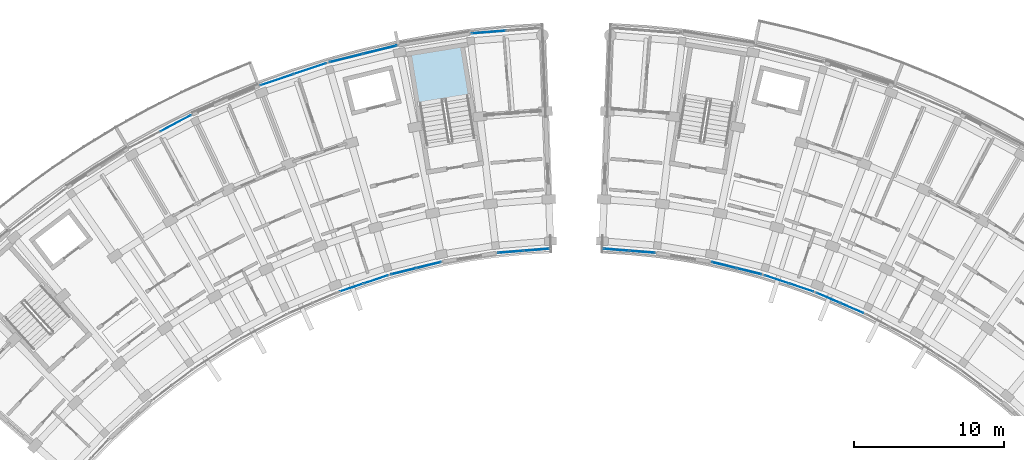
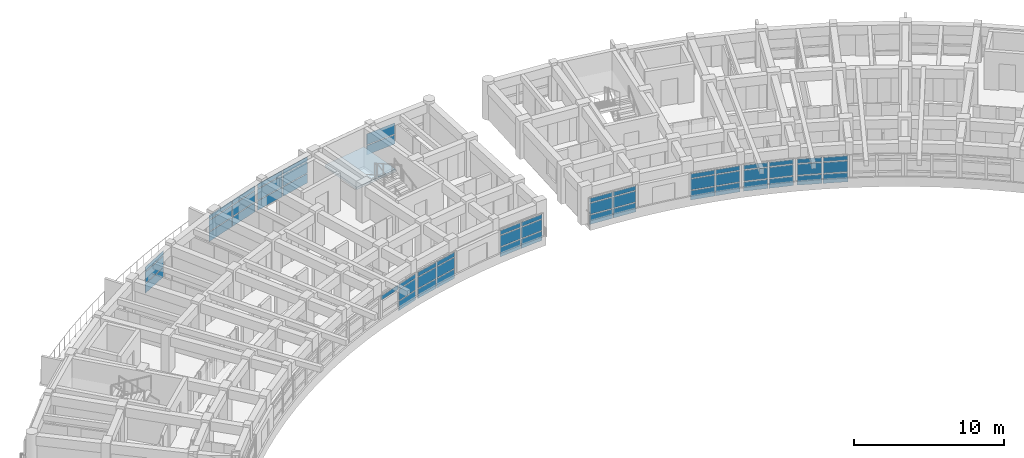
# One storey, part 34 of 70: 57 plates, 1 slab, 12 elements without a shape of their own.
"""IFC4 building model written with IfcOpenShell, lengths in metres."""

from ifc_helpers import new_model, si_unit, direction, frame, origin, origin_2d, place, context, subcontext, project, spatial, polyline, rectangle, outline, extrude, material, layer, layer_set, type_object, element, aggregate, save


model = new_model("IFC4")

# Units and contexts
model_context = context("Model", 3, precision=1e-05, world=origin(), true_north=direction((0.0, 1.0)))
body_context = subcontext(model_context, "Body", "Model", "MODEL_VIEW")
ifc_project = project(units=[si_unit("LENGTHUNIT", "METRE"), si_unit("AREAUNIT", "SQUARE_METRE"), si_unit("VOLUMEUNIT", "CUBIC_METRE"), si_unit("PLANEANGLEUNIT", "RADIAN"), si_unit("MASSUNIT", "GRAM", prefix="KILO")], contexts=[model_context])

# Site, building, storey
site_placement = place(None, origin())
site = spatial("IfcSite", under=ifc_project, at=site_placement, CompositionType="ELEMENT")
building_placement = place(site_placement, origin())
building = spatial("IfcBuilding", under=site, at=building_placement, Name="Zimvara Arc Housing Community", CompositionType="ELEMENT")
storey_placement = place(building_placement, frame((0.0, 0.0, 8.10009765625)))
storey = spatial("IfcBuildingStorey", under=building, at=storey_placement, Name="L02", CompositionType="ELEMENT", Elevation=8.10009765625)

# Curtain wall, plates
ifc_material_1 = material(Name="Anodised Aluminium AW-6063", Category="aluminium")
curtain_wall_type_1 = type_object("IfcCurtainWallType", Name="CW-SYS-04", PredefinedType="USERDEFINED", material=ifc_material_1)
curtain_wall_1_placement = place(storey_placement, origin())
curtain_wall_1 = element("IfcCurtainWall", 1, at=curtain_wall_1_placement, inside=storey, type_object=curtain_wall_type_1, Name="cw:blkA:L02:in:b7", ObjectType="CURTAIN WALL", PredefinedType="USERDEFINED")
ifc_material_2 = material(Name="Pale-Gold Anodised Aluminium Spandrel Panel", Category="aluminium")
ifc_layer_1 = layer(ifc_material_2, 0.035888671875)
ifc_layer_set_1 = layer_set([ifc_layer_1], Name="Pale-Gold Anodised Aluminium Spandrel Panel")
plate_type_1 = type_object("IfcPlateType", Name="CWP-GLD-36", PredefinedType="CURTAIN_PANEL", material=ifc_layer_set_1)
plate_1_placement = place(storey_placement, frame((33.45068359375, 87.569580078125, 0.06494140625), z_axis=(0.0, 0.0, 1.0), x_axis=(0.970716537698, 0.240227815706, 0.0)))
plate_1 = element("IfcPlate", 2, at=plate_1_placement, type_object=plate_type_1, Name="CW04 panel 1.1", PredefinedType="CURTAIN_PANEL", context=body_context, shape_type="SweptSolid", body=[
    extrude(rectangle(XDim=1.664306640625, YDim=0.035888671875, at=origin_2d()), origin(), (0.0, 0.0, 1.0), 0.75244140625),
])
plate_2_placement = place(storey_placement, frame((33.45068359375, 87.569580078125, 0.88232421875), z_axis=(0.0, 0.0, 1.0), x_axis=(0.970716537698, 0.240227815706, 0.0)))
plate_2 = element("IfcPlate", 3, at=plate_2_placement, type_object=plate_type_1, Name="CW04 panel 1.2", PredefinedType="CURTAIN_PANEL", context=body_context, shape_type="SweptSolid", body=[
    extrude(rectangle(XDim=1.664306640625, YDim=0.035888671875, at=origin_2d()), origin(), (0.0, 0.0, 1.0), 0.885009765625),
])
plate_3_placement = place(storey_placement, frame((33.45068359375, 87.569580078125, 1.832275390625), z_axis=(0.0, 0.0, 1.0), x_axis=(0.970716537698, 0.240227815706, 0.0)))
plate_3 = element("IfcPlate", 4, at=plate_3_placement, type_object=plate_type_1, Name="CW04 panel 1.3", PredefinedType="CURTAIN_PANEL", context=body_context, shape_type="SweptSolid", body=[
    extrude(rectangle(XDim=1.664306640625, YDim=0.035888671875, at=origin_2d()), origin(), (0.0, 0.0, 1.0), 0.3525390625),
])
plate_4_placement = place(storey_placement, frame((35.12939453125, 87.98486328125, 0.06494140625), z_axis=(0.0, 0.0, 1.0), x_axis=(0.970716537698, 0.240227815706, 0.0)))
plate_4 = element("IfcPlate", 5, at=plate_4_placement, type_object=plate_type_1, Name="CW04 panel 2.1", PredefinedType="CURTAIN_PANEL", context=body_context, shape_type="SweptSolid", body=[
    extrude(rectangle(XDim=1.664306640625, YDim=0.035888671875, at=origin_2d()), origin(), (0.0, 0.0, 1.0), 0.75244140625),
])
plate_5_placement = place(storey_placement, frame((35.12939453125, 87.98486328125, 0.88232421875), z_axis=(0.0, 0.0, 1.0), x_axis=(0.970716537698, 0.240227815706, 0.0)))
plate_5 = element("IfcPlate", 6, at=plate_5_placement, type_object=plate_type_1, Name="CW04 panel 2.2", PredefinedType="CURTAIN_PANEL", context=body_context, shape_type="SweptSolid", body=[
    extrude(rectangle(XDim=1.664306640625, YDim=0.035888671875, at=origin_2d()), origin(), (0.0, 0.0, 1.0), 0.885009765625),
])
plate_6_placement = place(storey_placement, frame((35.12939453125, 87.98486328125, 1.832275390625), z_axis=(0.0, 0.0, 1.0), x_axis=(0.970716537698, 0.240227815706, 0.0)))
plate_6 = element("IfcPlate", 7, at=plate_6_placement, type_object=plate_type_1, Name="CW04 panel 2.3", PredefinedType="CURTAIN_PANEL", context=body_context, shape_type="SweptSolid", body=[
    extrude(rectangle(XDim=1.664306640625, YDim=0.035888671875, at=origin_2d()), origin(), (0.0, 0.0, 1.0), 0.3525390625),
])
aggregate(curtain_wall_1, [plate_1, plate_2, plate_3, plate_4, plate_5, plate_6])

curtain_wall_2_placement = place(storey_placement, origin())
curtain_wall_2 = element("IfcCurtainWall", 8, at=curtain_wall_2_placement, inside=storey, type_object=curtain_wall_type_1, Name="cw:blkB:L02:in:b2", ObjectType="CURTAIN WALL", PredefinedType="USERDEFINED")
plate_7_placement = place(storey_placement, frame((54.87060546875, 87.98486328125, 0.06494140625), z_axis=(0.0, 0.0, 1.0), x_axis=(0.970716537698, -0.240227815706, 0.0)))
plate_7 = element("IfcPlate", 9, at=plate_7_placement, type_object=plate_type_1, Name="CW04 panel 1.1", PredefinedType="CURTAIN_PANEL", context=body_context, shape_type="SweptSolid", body=[
    extrude(rectangle(XDim=1.664306640625, YDim=0.035888671875, at=origin_2d()), origin(), (0.0, 0.0, 1.0), 0.75244140625),
])
plate_8_placement = place(storey_placement, frame((54.87060546875, 87.98486328125, 0.88232421875), z_axis=(0.0, 0.0, 1.0), x_axis=(0.970716537698, -0.240227815706, 0.0)))
plate_8 = element("IfcPlate", 10, at=plate_8_placement, type_object=plate_type_1, Name="CW04 panel 1.2", PredefinedType="CURTAIN_PANEL", context=body_context, shape_type="SweptSolid", body=[
    extrude(rectangle(XDim=1.664306640625, YDim=0.035888671875, at=origin_2d()), origin(), (0.0, 0.0, 1.0), 0.885009765625),
])
plate_9_placement = place(storey_placement, frame((54.87060546875, 87.98486328125, 1.832275390625), z_axis=(0.0, 0.0, 1.0), x_axis=(0.970716537698, -0.240227815706, 0.0)))
plate_9 = element("IfcPlate", 11, at=plate_9_placement, type_object=plate_type_1, Name="CW04 panel 1.3", PredefinedType="CURTAIN_PANEL", context=body_context, shape_type="SweptSolid", body=[
    extrude(rectangle(XDim=1.664306640625, YDim=0.035888671875, at=origin_2d()), origin(), (0.0, 0.0, 1.0), 0.3525390625),
])
plate_10_placement = place(storey_placement, frame((56.54931640625, 87.569580078125, 0.06494140625), z_axis=(0.0, 0.0, 1.0), x_axis=(0.970716537698, -0.240227815706, 0.0)))
plate_10 = element("IfcPlate", 12, at=plate_10_placement, type_object=plate_type_1, Name="CW04 panel 2.1", PredefinedType="CURTAIN_PANEL", context=body_context, shape_type="SweptSolid", body=[
    extrude(rectangle(XDim=1.664306640625, YDim=0.035888671875, at=origin_2d()), origin(), (0.0, 0.0, 1.0), 0.75244140625),
])
plate_11_placement = place(storey_placement, frame((56.54931640625, 87.569580078125, 0.88232421875), z_axis=(0.0, 0.0, 1.0), x_axis=(0.970716537698, -0.240227815706, 0.0)))
plate_11 = element("IfcPlate", 13, at=plate_11_placement, type_object=plate_type_1, Name="CW04 panel 2.2", PredefinedType="CURTAIN_PANEL", context=body_context, shape_type="SweptSolid", body=[
    extrude(rectangle(XDim=1.664306640625, YDim=0.035888671875, at=origin_2d()), origin(), (0.0, 0.0, 1.0), 0.885009765625),
])
plate_12_placement = place(storey_placement, frame((56.54931640625, 87.569580078125, 1.832275390625), z_axis=(0.0, 0.0, 1.0), x_axis=(0.970716537698, -0.240227815706, 0.0)))
plate_12 = element("IfcPlate", 14, at=plate_12_placement, type_object=plate_type_1, Name="CW04 panel 2.3", PredefinedType="CURTAIN_PANEL", context=body_context, shape_type="SweptSolid", body=[
    extrude(rectangle(XDim=1.664306640625, YDim=0.035888671875, at=origin_2d()), origin(), (0.0, 0.0, 1.0), 0.3525390625),
])
aggregate(curtain_wall_2, [plate_7, plate_8, plate_9, plate_10, plate_11, plate_12])

ifc_material_3 = material(Name="Anodised Aluminium AW-6063", Category="aluminium")
curtain_wall_type_2 = type_object("IfcCurtainWallType", Name="CW-SYS-01", PredefinedType="USERDEFINED", material=ifc_material_3)
curtain_wall_3_placement = place(storey_placement, origin())
curtain_wall_3 = element("IfcCurtainWall", 15, at=curtain_wall_3_placement, inside=storey, type_object=curtain_wall_type_2, Name="cw:blkA:L02:out:b6", ObjectType="CURTAIN WALL", PredefinedType="USERDEFINED")
ifc_material_4 = material(Name="Solar Control Low-E Double Glazing", Category="glass")
ifc_layer_2 = layer(ifc_material_4, 0.02392578125)
ifc_layer_set_2 = layer_set([ifc_layer_2], Name="Solar Control Low-E Double Glazing")
plate_type_2 = type_object("IfcPlateType", Name="CWP-GLZ-24", PredefinedType="CURTAIN_PANEL", material=ifc_layer_set_2)
plate_13_placement = place(storey_placement, frame((24.990478515625, 100.36669921875, 0.06494140625), z_axis=(0.0, 0.0, 1.0), x_axis=(0.947879647164, 0.318628583921, 0.0)))
plate_13 = element("IfcPlate", 16, at=plate_13_placement, type_object=plate_type_2, Name="CW01 panel 1.1", PredefinedType="CURTAIN_PANEL", context=body_context, shape_type="SweptSolid", body=[
    extrude(rectangle(XDim=2.266845703125, YDim=0.02392578125, at=origin_2d()), origin(), (0.0, 0.0, 1.0), 0.75244140625),
])
plate_14_placement = place(storey_placement, frame((24.990478515625, 100.36669921875, 0.88232421875), z_axis=(0.0, 0.0, 1.0), x_axis=(0.947879647164, 0.318628583921, 0.0)))
plate_14 = element("IfcPlate", 17, at=plate_14_placement, type_object=plate_type_2, Name="CW01 panel 1.2", PredefinedType="CURTAIN_PANEL", context=body_context, shape_type="SweptSolid", body=[
    extrude(rectangle(XDim=2.266845703125, YDim=0.02392578125, at=origin_2d()), origin(), (0.0, 0.0, 1.0), 0.885009765625),
])
plate_15_placement = place(storey_placement, frame((24.990478515625, 100.36669921875, 1.832275390625), z_axis=(0.0, 0.0, 1.0), x_axis=(0.947879647164, 0.318628583921, 0.0)))
plate_15 = element("IfcPlate", 18, at=plate_15_placement, type_object=plate_type_2, Name="CW01 panel 1.3", PredefinedType="CURTAIN_PANEL", context=body_context, shape_type="SweptSolid", body=[
    extrude(rectangle(XDim=2.266845703125, YDim=0.02392578125, at=origin_2d()), origin(), (0.0, 0.0, 1.0), 0.3525390625),
])
plate_16_placement = place(storey_placement, frame((27.200927734375, 101.109619140625, 0.06494140625), z_axis=(0.0, 0.0, 1.0), x_axis=(0.947879647164, 0.318628583921, 0.0)))
plate_16 = element("IfcPlate", 19, at=plate_16_placement, type_object=plate_type_2, Name="CW01 panel 2.1", PredefinedType="CURTAIN_PANEL", context=body_context, shape_type="SweptSolid", body=[
    extrude(rectangle(XDim=2.266845703125, YDim=0.02392578125, at=origin_2d()), origin(), (0.0, 0.0, 1.0), 0.75244140625),
])
plate_17_placement = place(storey_placement, frame((27.200927734375, 101.109619140625, 0.88232421875), z_axis=(0.0, 0.0, 1.0), x_axis=(0.947879647164, 0.318628583921, 0.0)))
plate_17 = element("IfcPlate", 20, at=plate_17_placement, type_object=plate_type_2, Name="CW01 panel 2.2", PredefinedType="CURTAIN_PANEL", context=body_context, shape_type="SweptSolid", body=[
    extrude(rectangle(XDim=2.266845703125, YDim=0.02392578125, at=origin_2d()), origin(), (0.0, 0.0, 1.0), 0.885009765625),
])
plate_18_placement = place(storey_placement, frame((27.200927734375, 101.109619140625, 1.832275390625), z_axis=(0.0, 0.0, 1.0), x_axis=(0.947879647164, 0.318628583921, 0.0)))
plate_18 = element("IfcPlate", 21, at=plate_18_placement, type_object=plate_type_2, Name="CW01 panel 2.3", PredefinedType="CURTAIN_PANEL", context=body_context, shape_type="SweptSolid", body=[
    extrude(rectangle(XDim=2.266845703125, YDim=0.02392578125, at=origin_2d()), origin(), (0.0, 0.0, 1.0), 0.3525390625),
])
aggregate(curtain_wall_3, [plate_13, plate_14, plate_15, plate_16, plate_17, plate_18])

ifc_material_5 = material(Name="Anodised Aluminium AW-6063", Category="aluminium")
curtain_wall_type_3 = type_object("IfcCurtainWallType", Name="CW-SYS-05", PredefinedType="USERDEFINED", material=ifc_material_5)
curtain_wall_4_placement = place(storey_placement, origin())
curtain_wall_4 = element("IfcCurtainWall", 22, at=curtain_wall_4_placement, inside=storey, type_object=curtain_wall_type_3, Name="cw:blkA:L02:out:b9", ObjectType="CURTAIN WALL", PredefinedType="USERDEFINED")
plate_19_placement = place(storey_placement, frame((39.141357421875, 103.552001953125, 0.06494140625), z_axis=(0.0, 0.0, 1.0), x_axis=(0.996862418963, 0.079153759607, 0.0)))
plate_19 = element("IfcPlate", 23, at=plate_19_placement, type_object=plate_type_2, Name="CW05 panel 1.1", PredefinedType="CURTAIN_PANEL", context=body_context, shape_type="SweptSolid", body=[
    extrude(rectangle(XDim=2.266845703125, YDim=0.02392578125, at=origin_2d()), origin(), (0.0, 0.0, 1.0), 0.75244140625),
])
plate_20_placement = place(storey_placement, frame((39.141357421875, 103.552001953125, 0.88232421875), z_axis=(0.0, 0.0, 1.0), x_axis=(0.996862418963, 0.079153759607, 0.0)))
plate_20 = element("IfcPlate", 24, at=plate_20_placement, type_object=plate_type_2, Name="CW05 panel 1.2", PredefinedType="CURTAIN_PANEL", context=body_context, shape_type="SweptSolid", body=[
    extrude(rectangle(XDim=2.266845703125, YDim=0.02392578125, at=origin_2d()), origin(), (0.0, 0.0, 1.0), 0.885009765625),
])
aggregate(curtain_wall_4, [plate_19, plate_20])

curtain_wall_5_placement = place(storey_placement, origin())
curtain_wall_5 = element("IfcCurtainWall", 25, at=curtain_wall_5_placement, inside=storey, type_object=curtain_wall_type_3, Name="cw:blkB:L02:in:b3", ObjectType="CURTAIN WALL", PredefinedType="USERDEFINED")
plate_21_placement = place(storey_placement, frame((58.3857421875, 87.03466796875, 0.06494140625), z_axis=(0.0, 0.0, 1.0), x_axis=(0.94787908732, -0.318630249383, 0.0)))
plate_21 = element("IfcPlate", 26, at=plate_21_placement, type_object=plate_type_2, Name="CW05 panel 1.1", PredefinedType="CURTAIN_PANEL", context=body_context, shape_type="SweptSolid", body=[
    extrude(rectangle(XDim=1.664306640625, YDim=0.02392578125, at=origin_2d()), origin(), (0.0, 0.0, 1.0), 0.75244140625),
])
plate_22_placement = place(storey_placement, frame((58.3857421875, 87.03466796875, 0.88232421875), z_axis=(0.0, 0.0, 1.0), x_axis=(0.94787908732, -0.318630249383, 0.0)))
plate_22 = element("IfcPlate", 27, at=plate_22_placement, type_object=plate_type_2, Name="CW05 panel 1.2", PredefinedType="CURTAIN_PANEL", context=body_context, shape_type="SweptSolid", body=[
    extrude(rectangle(XDim=1.664306640625, YDim=0.02392578125, at=origin_2d()), origin(), (0.0, 0.0, 1.0), 0.885009765625),
])
plate_23_placement = place(storey_placement, frame((58.3857421875, 87.03466796875, 1.832275390625), z_axis=(0.0, 0.0, 1.0), x_axis=(0.94787908732, -0.318630249383, 0.0)))
plate_23 = element("IfcPlate", 28, at=plate_23_placement, type_object=plate_type_2, Name="CW05 panel 1.3", PredefinedType="CURTAIN_PANEL", context=body_context, shape_type="SweptSolid", body=[
    extrude(rectangle(XDim=1.664306640625, YDim=0.02392578125, at=origin_2d()), origin(), (0.0, 0.0, 1.0), 0.3525390625),
])
plate_24_placement = place(storey_placement, frame((60.02490234375, 86.483642578125, 0.06494140625), z_axis=(0.0, 0.0, 1.0), x_axis=(0.94787908732, -0.318630249383, 0.0)))
plate_24 = element("IfcPlate", 29, at=plate_24_placement, type_object=plate_type_2, Name="CW05 panel 2.1", PredefinedType="CURTAIN_PANEL", context=body_context, shape_type="SweptSolid", body=[
    extrude(rectangle(XDim=1.664306640625, YDim=0.02392578125, at=origin_2d()), origin(), (0.0, 0.0, 1.0), 0.75244140625),
])
plate_25_placement = place(storey_placement, frame((60.02490234375, 86.483642578125, 0.88232421875), z_axis=(0.0, 0.0, 1.0), x_axis=(0.94787908732, -0.318630249383, 0.0)))
plate_25 = element("IfcPlate", 30, at=plate_25_placement, type_object=plate_type_2, Name="CW05 panel 2.2", PredefinedType="CURTAIN_PANEL", context=body_context, shape_type="SweptSolid", body=[
    extrude(rectangle(XDim=1.664306640625, YDim=0.02392578125, at=origin_2d()), origin(), (0.0, 0.0, 1.0), 0.885009765625),
])
plate_26_placement = place(storey_placement, frame((60.02490234375, 86.483642578125, 1.832275390625), z_axis=(0.0, 0.0, 1.0), x_axis=(0.94787908732, -0.318630249383, 0.0)))
plate_26 = element("IfcPlate", 31, at=plate_26_placement, type_object=plate_type_2, Name="CW05 panel 2.3", PredefinedType="CURTAIN_PANEL", context=body_context, shape_type="SweptSolid", body=[
    extrude(rectangle(XDim=1.664306640625, YDim=0.02392578125, at=origin_2d()), origin(), (0.0, 0.0, 1.0), 0.3525390625),
])
aggregate(curtain_wall_5, [plate_21, plate_22, plate_23, plate_24, plate_25, plate_26])

ifc_material_6 = material(Name="Anodised Aluminium AW-6063", Category="aluminium")
curtain_wall_type_4 = type_object("IfcCurtainWallType", Name="CW-SYS-06", PredefinedType="USERDEFINED", material=ifc_material_6)
curtain_wall_6_placement = place(storey_placement, origin())
curtain_wall_6 = element("IfcCurtainWall", 32, at=curtain_wall_6_placement, inside=storey, type_object=curtain_wall_type_4, Name="cw:blkA:L02:out:b4", ObjectType="CURTAIN WALL", PredefinedType="USERDEFINED")
ifc_material_7 = material(Name="Solar Control Low-E Double Glazing", Category="glass")
ifc_layer_3 = layer(ifc_material_7, 0.028076171875)
ifc_layer_set_3 = layer_set([ifc_layer_3], Name="Solar Control Low-E Double Glazing")
plate_type_3 = type_object("IfcPlateType", Name="CWP-GLZ-28", PredefinedType="CURTAIN_PANEL", material=ifc_layer_set_3)
plate_27_placement = place(storey_placement, frame((18.23095703125, 97.461181640625, 0.06494140625), z_axis=(0.0, 0.0, 1.0), x_axis=(0.883438614651, 0.468546917761, 0.0)))
plate_27 = element("IfcPlate", 33, at=plate_27_placement, type_object=plate_type_3, Name="CW06 panel 2.1", PredefinedType="CURTAIN_PANEL", context=body_context, shape_type="SweptSolid", body=[
    extrude(rectangle(XDim=2.266845703125, YDim=0.028076171875, at=origin_2d()), origin(), (0.0, 0.0, 1.0), 0.75244140625),
])
plate_28_placement = place(storey_placement, frame((18.23095703125, 97.461181640625, 0.88232421875), z_axis=(0.0, 0.0, 1.0), x_axis=(0.883438614651, 0.468546917761, 0.0)))
plate_28 = element("IfcPlate", 34, at=plate_28_placement, type_object=plate_type_3, Name="CW06 panel 2.2", PredefinedType="CURTAIN_PANEL", context=body_context, shape_type="SweptSolid", body=[
    extrude(rectangle(XDim=2.266845703125, YDim=0.028076171875, at=origin_2d()), origin(), (0.0, 0.0, 1.0), 0.885009765625),
])
plate_29_placement = place(storey_placement, frame((18.23095703125, 97.461181640625, 1.832275390625), z_axis=(0.0, 0.0, 1.0), x_axis=(0.883438614651, 0.468546917761, 0.0)))
plate_29 = element("IfcPlate", 35, at=plate_29_placement, type_object=plate_type_3, Name="CW06 panel 2.3", PredefinedType="CURTAIN_PANEL", context=body_context, shape_type="SweptSolid", body=[
    extrude(rectangle(XDim=2.266845703125, YDim=0.028076171875, at=origin_2d()), origin(), (0.0, 0.0, 1.0), 0.3525390625),
])
aggregate(curtain_wall_6, [plate_27, plate_28, plate_29])

ifc_material_8 = material(Name="Anodised Aluminium AW-6063", Category="aluminium")
curtain_wall_type_5 = type_object("IfcCurtainWallType", Name="CW-SYS-02", PredefinedType="USERDEFINED", material=ifc_material_8)
curtain_wall_7_placement = place(storey_placement, origin())
curtain_wall_7 = element("IfcCurtainWall", 36, at=curtain_wall_7_placement, inside=storey, type_object=curtain_wall_type_5, Name="cw:blkA:L02:in:b6", ObjectType="CURTAIN WALL", PredefinedType="USERDEFINED")
plate_30_placement = place(storey_placement, frame((29.97509765625, 86.483642578125, 1.832275390625), z_axis=(0.0, 0.0, 1.0), x_axis=(0.94787908732, 0.318630249383, 0.0)))
plate_30 = element("IfcPlate", 37, at=plate_30_placement, type_object=plate_type_3, Name="CW02 panel 1.3", PredefinedType="CURTAIN_PANEL", context=body_context, shape_type="SweptSolid", body=[
    extrude(rectangle(XDim=1.664306640625, YDim=0.028076171875, at=origin_2d()), origin(), (0.0, 0.0, 1.0), 0.3525390625),
])
plate_31_placement = place(storey_placement, frame((31.6142578125, 87.03466796875, 0.06494140625), z_axis=(0.0, 0.0, 1.0), x_axis=(0.94787908732, 0.318630249383, 0.0)))
plate_31 = element("IfcPlate", 38, at=plate_31_placement, type_object=plate_type_3, Name="CW02 panel 2.1", PredefinedType="CURTAIN_PANEL", context=body_context, shape_type="SweptSolid", body=[
    extrude(rectangle(XDim=1.664306640625, YDim=0.028076171875, at=origin_2d()), origin(), (0.0, 0.0, 1.0), 0.75244140625),
])
plate_32_placement = place(storey_placement, frame((31.6142578125, 87.03466796875, 0.88232421875), z_axis=(0.0, 0.0, 1.0), x_axis=(0.94787908732, 0.318630249383, 0.0)))
plate_32 = element("IfcPlate", 39, at=plate_32_placement, type_object=plate_type_3, Name="CW02 panel 2.2", PredefinedType="CURTAIN_PANEL", context=body_context, shape_type="SweptSolid", body=[
    extrude(rectangle(XDim=1.664306640625, YDim=0.028076171875, at=origin_2d()), origin(), (0.0, 0.0, 1.0), 0.885009765625),
])
plate_33_placement = place(storey_placement, frame((31.6142578125, 87.03466796875, 1.832275390625), z_axis=(0.0, 0.0, 1.0), x_axis=(0.94787908732, 0.318630249383, 0.0)))
plate_33 = element("IfcPlate", 40, at=plate_33_placement, type_object=plate_type_3, Name="CW02 panel 2.3", PredefinedType="CURTAIN_PANEL", context=body_context, shape_type="SweptSolid", body=[
    extrude(rectangle(XDim=1.664306640625, YDim=0.028076171875, at=origin_2d()), origin(), (0.0, 0.0, 1.0), 0.3525390625),
])
aggregate(curtain_wall_7, [plate_30, plate_31, plate_32, plate_33])

curtain_wall_8_placement = place(storey_placement, origin())
curtain_wall_8 = element("IfcCurtainWall", 41, at=curtain_wall_8_placement, inside=storey, type_object=curtain_wall_type_4, Name="cw:blkA:L02:in:b9", ObjectType="CURTAIN WALL", PredefinedType="USERDEFINED")
plate_34_placement = place(storey_placement, frame((40.609130859375, 88.87451171875, 0.06494140625), z_axis=(0.0, 0.0, 1.0), x_axis=(0.996862343506, 0.079154709897, 0.0)))
plate_34 = element("IfcPlate", 42, at=plate_34_placement, type_object=plate_type_3, Name="CW06 panel 1.1", PredefinedType="CURTAIN_PANEL", context=body_context, shape_type="SweptSolid", body=[
    extrude(rectangle(XDim=1.664306640625, YDim=0.028076171875, at=origin_2d()), origin(), (0.0, 0.0, 1.0), 0.75244140625),
])
plate_35_placement = place(storey_placement, frame((40.609130859375, 88.87451171875, 0.88232421875), z_axis=(0.0, 0.0, 1.0), x_axis=(0.996862343506, 0.079154709897, 0.0)))
plate_35 = element("IfcPlate", 43, at=plate_35_placement, type_object=plate_type_3, Name="CW06 panel 1.2", PredefinedType="CURTAIN_PANEL", context=body_context, shape_type="SweptSolid", body=[
    extrude(rectangle(XDim=1.664306640625, YDim=0.028076171875, at=origin_2d()), origin(), (0.0, 0.0, 1.0), 0.885009765625),
])
plate_36_placement = place(storey_placement, frame((40.609130859375, 88.87451171875, 1.832275390625), z_axis=(0.0, 0.0, 1.0), x_axis=(0.996862343506, 0.079154709897, 0.0)))
plate_36 = element("IfcPlate", 44, at=plate_36_placement, type_object=plate_type_3, Name="CW06 panel 1.3", PredefinedType="CURTAIN_PANEL", context=body_context, shape_type="SweptSolid", body=[
    extrude(rectangle(XDim=1.664306640625, YDim=0.028076171875, at=origin_2d()), origin(), (0.0, 0.0, 1.0), 0.3525390625),
])
plate_37_placement = place(storey_placement, frame((42.3330078125, 89.01123046875, 0.06494140625), z_axis=(0.0, 0.0, 1.0), x_axis=(0.996862343506, 0.079154709897, 0.0)))
plate_37 = element("IfcPlate", 45, at=plate_37_placement, type_object=plate_type_3, Name="CW06 panel 2.1", PredefinedType="CURTAIN_PANEL", context=body_context, shape_type="SweptSolid", body=[
    extrude(rectangle(XDim=1.664306640625, YDim=0.028076171875, at=origin_2d()), origin(), (0.0, 0.0, 1.0), 0.75244140625),
])
plate_38_placement = place(storey_placement, frame((42.3330078125, 89.01123046875, 0.88232421875), z_axis=(0.0, 0.0, 1.0), x_axis=(0.996862343506, 0.079154709897, 0.0)))
plate_38 = element("IfcPlate", 46, at=plate_38_placement, type_object=plate_type_3, Name="CW06 panel 2.2", PredefinedType="CURTAIN_PANEL", context=body_context, shape_type="SweptSolid", body=[
    extrude(rectangle(XDim=1.664306640625, YDim=0.028076171875, at=origin_2d()), origin(), (0.0, 0.0, 1.0), 0.885009765625),
])
plate_39_placement = place(storey_placement, frame((42.3330078125, 89.01123046875, 1.832275390625), z_axis=(0.0, 0.0, 1.0), x_axis=(0.996862343506, 0.079154709897, 0.0)))
plate_39 = element("IfcPlate", 47, at=plate_39_placement, type_object=plate_type_3, Name="CW06 panel 2.3", PredefinedType="CURTAIN_PANEL", context=body_context, shape_type="SweptSolid", body=[
    extrude(rectangle(XDim=1.664306640625, YDim=0.028076171875, at=origin_2d()), origin(), (0.0, 0.0, 1.0), 0.3525390625),
])
aggregate(curtain_wall_8, [plate_34, plate_35, plate_36, plate_37, plate_38, plate_39])

curtain_wall_9_placement = place(storey_placement, origin())
curtain_wall_9 = element("IfcCurtainWall", 48, at=curtain_wall_9_placement, inside=storey, type_object=curtain_wall_type_5, Name="cw:blkB:L02:in:b0", ObjectType="CURTAIN WALL", PredefinedType="USERDEFINED")
plate_40_placement = place(storey_placement, frame((47.6669921875, 89.01123046875, 0.06494140625), z_axis=(0.0, 0.0, 1.0), x_axis=(0.996862343506, -0.079154709897, 0.0)))
plate_40 = element("IfcPlate", 49, at=plate_40_placement, type_object=plate_type_3, Name="CW02 panel 1.1", PredefinedType="CURTAIN_PANEL", context=body_context, shape_type="SweptSolid", body=[
    extrude(rectangle(XDim=1.664306640625, YDim=0.028076171875, at=origin_2d()), origin(), (0.0, 0.0, 1.0), 0.75244140625),
])
plate_41_placement = place(storey_placement, frame((47.6669921875, 89.01123046875, 0.88232421875), z_axis=(0.0, 0.0, 1.0), x_axis=(0.996862343506, -0.079154709897, 0.0)))
plate_41 = element("IfcPlate", 50, at=plate_41_placement, type_object=plate_type_3, Name="CW02 panel 1.2", PredefinedType="CURTAIN_PANEL", context=body_context, shape_type="SweptSolid", body=[
    extrude(rectangle(XDim=1.664306640625, YDim=0.028076171875, at=origin_2d()), origin(), (0.0, 0.0, 1.0), 0.885009765625),
])
plate_42_placement = place(storey_placement, frame((47.6669921875, 89.01123046875, 1.832275390625), z_axis=(0.0, 0.0, 1.0), x_axis=(0.996862343506, -0.079154709897, 0.0)))
plate_42 = element("IfcPlate", 51, at=plate_42_placement, type_object=plate_type_3, Name="CW02 panel 1.3", PredefinedType="CURTAIN_PANEL", context=body_context, shape_type="SweptSolid", body=[
    extrude(rectangle(XDim=1.664306640625, YDim=0.028076171875, at=origin_2d()), origin(), (0.0, 0.0, 1.0), 0.3525390625),
])
plate_43_placement = place(storey_placement, frame((49.390869140625, 88.87451171875, 0.06494140625), z_axis=(0.0, 0.0, 1.0), x_axis=(0.996862343506, -0.079154709897, 0.0)))
plate_43 = element("IfcPlate", 52, at=plate_43_placement, type_object=plate_type_3, Name="CW02 panel 2.1", PredefinedType="CURTAIN_PANEL", context=body_context, shape_type="SweptSolid", body=[
    extrude(rectangle(XDim=1.664306640625, YDim=0.028076171875, at=origin_2d()), origin(), (0.0, 0.0, 1.0), 0.75244140625),
])
plate_44_placement = place(storey_placement, frame((49.390869140625, 88.87451171875, 0.88232421875), z_axis=(0.0, 0.0, 1.0), x_axis=(0.996862343506, -0.079154709897, 0.0)))
plate_44 = element("IfcPlate", 53, at=plate_44_placement, type_object=plate_type_3, Name="CW02 panel 2.2", PredefinedType="CURTAIN_PANEL", context=body_context, shape_type="SweptSolid", body=[
    extrude(rectangle(XDim=1.664306640625, YDim=0.028076171875, at=origin_2d()), origin(), (0.0, 0.0, 1.0), 0.885009765625),
])
plate_45_placement = place(storey_placement, frame((49.390869140625, 88.87451171875, 1.832275390625), z_axis=(0.0, 0.0, 1.0), x_axis=(0.996862343506, -0.079154709897, 0.0)))
plate_45 = element("IfcPlate", 54, at=plate_45_placement, type_object=plate_type_3, Name="CW02 panel 2.3", PredefinedType="CURTAIN_PANEL", context=body_context, shape_type="SweptSolid", body=[
    extrude(rectangle(XDim=1.664306640625, YDim=0.028076171875, at=origin_2d()), origin(), (0.0, 0.0, 1.0), 0.3525390625),
])
aggregate(curtain_wall_9, [plate_40, plate_41, plate_42, plate_43, plate_44, plate_45])

ifc_material_9 = material(Name="Anodised Aluminium AW-6063", Category="aluminium")
curtain_wall_type_6 = type_object("IfcCurtainWallType", Name="CW-SYS-03", PredefinedType="USERDEFINED", material=ifc_material_9)
curtain_wall_10_placement = place(storey_placement, origin())
curtain_wall_10 = element("IfcCurtainWall", 55, at=curtain_wall_10_placement, inside=storey, type_object=curtain_wall_type_6, Name="cw:blkA:L02:out:b7", ObjectType="CURTAIN WALL", PredefinedType="USERDEFINED")
ifc_material_10 = material(Name="Acoustic Laminated Solar Glazing", Category="glass")
ifc_layer_4 = layer(ifc_material_10, 0.031982421875)
ifc_layer_set_4 = layer_set([ifc_layer_4], Name="Acoustic Laminated Solar Glazing")
plate_type_4 = type_object("IfcPlateType", Name="CWP-GLZ-32", PredefinedType="CURTAIN_PANEL", material=ifc_layer_set_4)
plate_46_placement = place(storey_placement, frame((29.615234375, 101.81298828125, 0.06494140625), z_axis=(0.0, 0.0, 1.0), x_axis=(0.970716068627, 0.240229711131, 0.0)))
plate_46 = element("IfcPlate", 56, at=plate_46_placement, type_object=plate_type_4, Name="CW03 panel 1.1", PredefinedType="CURTAIN_PANEL", context=body_context, shape_type="SweptSolid", body=[
    extrude(rectangle(XDim=2.266845703125, YDim=0.031982421875, at=origin_2d()), origin(), (0.0, 0.0, 1.0), 0.75244140625),
])
plate_47_placement = place(storey_placement, frame((29.615234375, 101.81298828125, 0.88232421875), z_axis=(0.0, 0.0, 1.0), x_axis=(0.970716068627, 0.240229711131, 0.0)))
plate_47 = element("IfcPlate", 57, at=plate_47_placement, type_object=plate_type_4, Name="CW03 panel 1.2", PredefinedType="CURTAIN_PANEL", context=body_context, shape_type="SweptSolid", body=[
    extrude(rectangle(XDim=2.266845703125, YDim=0.031982421875, at=origin_2d()), origin(), (0.0, 0.0, 1.0), 0.885009765625),
])
plate_48_placement = place(storey_placement, frame((29.615234375, 101.81298828125, 1.832275390625), z_axis=(0.0, 0.0, 1.0), x_axis=(0.970716068627, 0.240229711131, 0.0)))
plate_48 = element("IfcPlate", 58, at=plate_48_placement, type_object=plate_type_4, Name="CW03 panel 1.3", PredefinedType="CURTAIN_PANEL", context=body_context, shape_type="SweptSolid", body=[
    extrude(rectangle(XDim=2.266845703125, YDim=0.031982421875, at=origin_2d()), origin(), (0.0, 0.0, 1.0), 0.3525390625),
])
plate_49_placement = place(storey_placement, frame((31.87890625, 102.373291015625, 0.06494140625), z_axis=(0.0, 0.0, 1.0), x_axis=(0.970716068627, 0.240229711131, 0.0)))
plate_49 = element("IfcPlate", 59, at=plate_49_placement, type_object=plate_type_4, Name="CW03 panel 2.1", PredefinedType="CURTAIN_PANEL", context=body_context, shape_type="SweptSolid", body=[
    extrude(rectangle(XDim=2.266845703125, YDim=0.031982421875, at=origin_2d()), origin(), (0.0, 0.0, 1.0), 0.75244140625),
])
plate_50_placement = place(storey_placement, frame((31.87890625, 102.373291015625, 0.88232421875), z_axis=(0.0, 0.0, 1.0), x_axis=(0.970716068627, 0.240229711131, 0.0)))
plate_50 = element("IfcPlate", 60, at=plate_50_placement, type_object=plate_type_4, Name="CW03 panel 2.2", PredefinedType="CURTAIN_PANEL", context=body_context, shape_type="SweptSolid", body=[
    extrude(rectangle(XDim=2.266845703125, YDim=0.031982421875, at=origin_2d()), origin(), (0.0, 0.0, 1.0), 0.885009765625),
])
plate_51_placement = place(storey_placement, frame((31.87890625, 102.373291015625, 1.832275390625), z_axis=(0.0, 0.0, 1.0), x_axis=(0.970716068627, 0.240229711131, 0.0)))
plate_51 = element("IfcPlate", 61, at=plate_51_placement, type_object=plate_type_4, Name="CW03 panel 2.3", PredefinedType="CURTAIN_PANEL", context=body_context, shape_type="SweptSolid", body=[
    extrude(rectangle(XDim=2.266845703125, YDim=0.031982421875, at=origin_2d()), origin(), (0.0, 0.0, 1.0), 0.3525390625),
])
aggregate(curtain_wall_10, [plate_46, plate_47, plate_48, plate_49, plate_50, plate_51])

ifc_material_11 = material(Name="Anodised Aluminium AW-6063", Category="aluminium")
curtain_wall_type_7 = type_object("IfcCurtainWallType", Name="CW-SYS-07", PredefinedType="USERDEFINED", material=ifc_material_11)
curtain_wall_11_placement = place(storey_placement, origin())
curtain_wall_11 = element("IfcCurtainWall", 62, at=curtain_wall_11_placement, inside=storey, type_object=curtain_wall_type_7, Name="cw:blkB:L02:in:b4", ObjectType="CURTAIN WALL", PredefinedType="USERDEFINED")
plate_52_placement = place(storey_placement, frame((61.8115234375, 85.80078125, 0.06494140625), z_axis=(0.0, 0.0, 1.0), x_axis=(0.918722178415, -0.394904493375, 0.0)))
plate_52 = element("IfcPlate", 63, at=plate_52_placement, type_object=plate_type_4, Name="CW07 panel 1.1", PredefinedType="CURTAIN_PANEL", context=body_context, shape_type="SweptSolid", body=[
    extrude(rectangle(XDim=1.664306640625, YDim=0.031982421875, at=origin_2d()), origin(), (0.0, 0.0, 1.0), 0.75244140625),
])
plate_53_placement = place(storey_placement, frame((61.8115234375, 85.80078125, 0.88232421875), z_axis=(0.0, 0.0, 1.0), x_axis=(0.918722178415, -0.394904493375, 0.0)))
plate_53 = element("IfcPlate", 64, at=plate_53_placement, type_object=plate_type_4, Name="CW07 panel 1.2", PredefinedType="CURTAIN_PANEL", context=body_context, shape_type="SweptSolid", body=[
    extrude(rectangle(XDim=1.664306640625, YDim=0.031982421875, at=origin_2d()), origin(), (0.0, 0.0, 1.0), 0.885009765625),
])
plate_54_placement = place(storey_placement, frame((61.8115234375, 85.80078125, 1.832275390625), z_axis=(0.0, 0.0, 1.0), x_axis=(0.918722178415, -0.394904493375, 0.0)))
plate_54 = element("IfcPlate", 65, at=plate_54_placement, type_object=plate_type_4, Name="CW07 panel 1.3", PredefinedType="CURTAIN_PANEL", context=body_context, shape_type="SweptSolid", body=[
    extrude(rectangle(XDim=1.664306640625, YDim=0.031982421875, at=origin_2d()), origin(), (0.0, 0.0, 1.0), 0.3525390625),
])
plate_55_placement = place(storey_placement, frame((63.400390625, 85.11767578125, 0.06494140625), z_axis=(0.0, 0.0, 1.0), x_axis=(0.918722178415, -0.394904493375, 0.0)))
plate_55 = element("IfcPlate", 66, at=plate_55_placement, type_object=plate_type_4, Name="CW07 panel 2.1", PredefinedType="CURTAIN_PANEL", context=body_context, shape_type="SweptSolid", body=[
    extrude(rectangle(XDim=1.664306640625, YDim=0.031982421875, at=origin_2d()), origin(), (0.0, 0.0, 1.0), 0.75244140625),
])
plate_56_placement = place(storey_placement, frame((63.400390625, 85.11767578125, 0.88232421875), z_axis=(0.0, 0.0, 1.0), x_axis=(0.918722178415, -0.394904493375, 0.0)))
plate_56 = element("IfcPlate", 67, at=plate_56_placement, type_object=plate_type_4, Name="CW07 panel 2.2", PredefinedType="CURTAIN_PANEL", context=body_context, shape_type="SweptSolid", body=[
    extrude(rectangle(XDim=1.664306640625, YDim=0.031982421875, at=origin_2d()), origin(), (0.0, 0.0, 1.0), 0.885009765625),
])
plate_57_placement = place(storey_placement, frame((63.400390625, 85.11767578125, 1.832275390625), z_axis=(0.0, 0.0, 1.0), x_axis=(0.918722178415, -0.394904493375, 0.0)))
plate_57 = element("IfcPlate", 68, at=plate_57_placement, type_object=plate_type_4, Name="CW07 panel 2.3", PredefinedType="CURTAIN_PANEL", context=body_context, shape_type="SweptSolid", body=[
    extrude(rectangle(XDim=1.664306640625, YDim=0.031982421875, at=origin_2d()), origin(), (0.0, 0.0, 1.0), 0.3525390625),
])
aggregate(curtain_wall_11, [plate_52, plate_53, plate_54, plate_55, plate_56, plate_57])

# Stair, slab
ifc_material_12 = material(Name="Concrete C35/45", Category="concrete")
stair_type = type_object("IfcStairType", Name="STR-DL-315-310", PredefinedType="HALF_TURN_STAIR", material=ifc_material_12)
stair_placement = place(storey_placement, origin())
stair = element("IfcStair", 69, at=stair_placement, inside=storey, type_object=stair_type, Name="L02 Block A Exit Stair 2", PredefinedType="HALF_TURN_STAIR")
ifc_material_13 = material(Name="Concrete C35/45", Category="concrete")
ifc_layer_5 = layer(ifc_material_13, 0.199951171875)
ifc_layer_set_5 = layer_set([ifc_layer_5], Name="Concrete C35/45")
slab_type = type_object("IfcSlabType", Name="SLB-STAIR-LND-200", PredefinedType="LANDING", material=ifc_layer_set_5)
slab_placement = place(storey_placement, frame((0.0, 0.0, 1.349853515625)))
slab = element("IfcSlab", 70, at=slab_placement, type_object=slab_type, Name="ST-A2 landing 1", PredefinedType="LANDING", context=body_context, shape_type="SweptSolid", body=[
    extrude(outline(polyline([(37.814697265625, 99.2509765625), (37.278564453125, 102.552978515625), (33.962158203125, 102.014404296875), (34.498046875, 98.712646484375), (37.814697265625, 99.2509765625)])), origin(), (0.0, 0.0, 1.0), 0.199951171875),
])
aggregate(stair, [slab])

save(model, "model.ifc")
